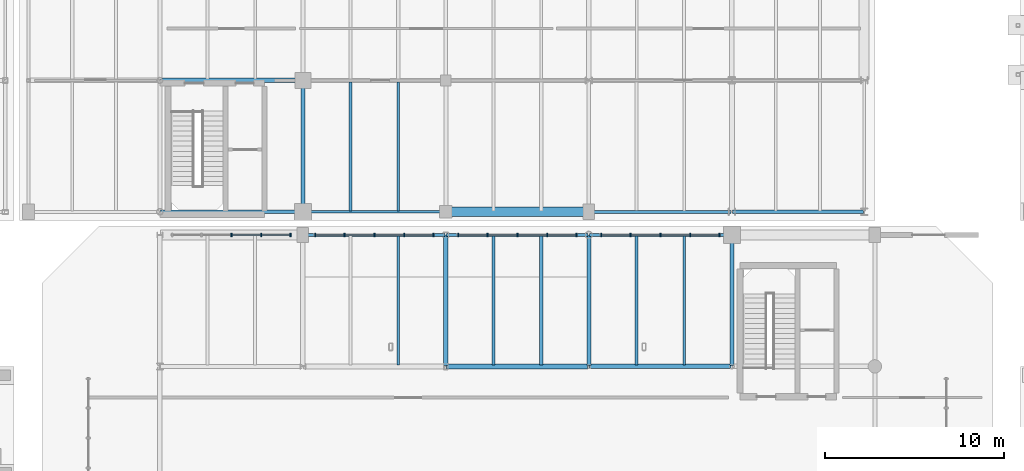
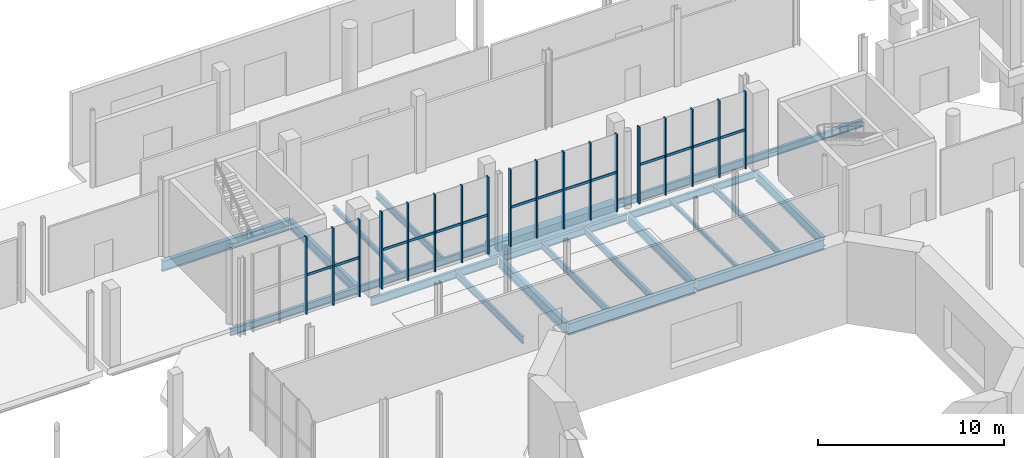
# One storey, part 47 of 87: 32 members, 22 beams, 4 elements without a shape of their own.
"""IFC4 building model written with IfcOpenShell, lengths in metres."""

from ifc_helpers import new_model, si_unit, direction, frame, origin, origin_2d, place, context, subcontext, project, spatial, rectangle, i_section, extrude, material, material_profile, profile_set, type_object, element, aggregate, save


model = new_model("IFC4")

# Units and contexts
model_context = context("Model", 3, precision=1e-05, world=origin(), true_north=direction((0.0, 1.0)))
body_context = subcontext(model_context, "Body", "Model", "MODEL_VIEW")
ifc_project = project(units=[si_unit("LENGTHUNIT", "METRE"), si_unit("AREAUNIT", "SQUARE_METRE"), si_unit("VOLUMEUNIT", "CUBIC_METRE"), si_unit("PLANEANGLEUNIT", "RADIAN"), si_unit("MASSUNIT", "GRAM", prefix="KILO")], contexts=[model_context])

# Site, building, storey
site_placement = place(None, origin())
site = spatial("IfcSite", under=ifc_project, at=site_placement, CompositionType="ELEMENT")
building_placement = place(site_placement, origin())
building = spatial("IfcBuilding", under=site, at=building_placement, Name="Brisemont Oceanarium", CompositionType="ELEMENT")
storey_placement = place(building_placement, origin())
storey = spatial("IfcBuildingStorey", under=building, at=storey_placement, Name="L00", CompositionType="ELEMENT", Elevation=0.0)

# Beams
ifc_material_1 = material(Name="Concrete C40/50", Category="concrete")
ifc_material_profile_1 = material_profile(ifc_material_1, rectangle(XDim=0.550048828125, YDim=0.800048828125, at=origin_2d()), Name="RC-BM-550X800")
ifc_profile_set_1 = profile_set([ifc_material_profile_1], Name="Concrete C40/50")
beam_type_1 = type_object("IfcBeamType", Name="BM-RC550X800", PredefinedType="SPANDREL", material=ifc_profile_set_1)
beam_1_placement = place(storey_placement, frame((80.0400390625, 80.64990234375, -0.780029296875), z_axis=(1.0, 0.0, 0.0), x_axis=(0.0, 1.0, 0.0)))
element("IfcBeam", 1, at=beam_1_placement, inside=storey, type_object=beam_type_1, Name="V7E L00 EW girder", PredefinedType="SPANDREL", context=body_context, shape_type="SweptSolid", body=[
    extrude(rectangle(XDim=0.550048828125, YDim=0.800048828125, at=origin_2d()), origin(), (0.0, 0.0, 1.0), 7.919921875),
])
ifc_material_2 = material(Name="Structural Steel ASTM A992 Gr.50", Category="steel")
ifc_material_profile_2 = material_profile(ifc_material_2, i_section(OverallWidth=0.14599609375, OverallDepth=0.259033203125, WebThickness=0.006103515625, FlangeThickness=0.009033203125, FilletRadius=0.008056640625, at=origin_2d()), Name="W10X22")
ifc_profile_set_2 = profile_set([ifc_material_profile_2], Name="Structural Steel ASTM A992 Gr.50")
beam_type_2 = type_object("IfcBeamType", Name="BM-W10X22", PredefinedType="LINTEL", material=ifc_profile_set_2)
beam_2_placement = place(storey_placement, frame((90.666748046875, 72.090087890625, -0.509521484375), z_axis=(0.0, 1.0, 0.0), x_axis=(-1.0, 0.0, 0.0)))
element("IfcBeam", 2, at=beam_2_placement, inside=storey, type_object=beam_type_2, Name="V1 L00 secondary floor beam", PredefinedType="LINTEL", context=body_context, shape_type="SweptSolid", body=[
    extrude(i_section(OverallWidth=0.14599609375, OverallDepth=0.259033203125, WebThickness=0.006103515625, FlangeThickness=0.009033203125, FilletRadius=0.008056640625, at=origin_2d()), origin(), (0.0, 0.0, 1.0), 7.219970703125),
])
ifc_material_3 = material(Name="Structural Steel ASTM A992 Gr.50", Category="steel")
ifc_material_profile_3 = material_profile(ifc_material_3, i_section(OverallWidth=0.1650390625, OverallDepth=0.31005859375, WebThickness=0.005859375, FlangeThickness=0.009765625, FilletRadius=0.008056640625, at=origin_2d()), Name="W12X26")
ifc_profile_set_3 = profile_set([ifc_material_profile_3], Name="Structural Steel ASTM A992 Gr.50")
beam_type_3 = type_object("IfcBeamType", Name="BM-W12X26", PredefinedType="JOIST", material=ifc_profile_set_3)
beam_3_placement = place(storey_placement, frame((74.666748046875, 80.68994140625, -0.534912109375), z_axis=(0.0, 1.0, 0.0), x_axis=(-1.0, 0.0, 0.0)))
element("IfcBeam", 3, at=beam_3_placement, inside=storey, type_object=beam_type_3, Name="V7E L00 secondary floor beam", PredefinedType="JOIST", context=body_context, shape_type="SweptSolid", body=[
    extrude(i_section(OverallWidth=0.1650390625, OverallDepth=0.31005859375, WebThickness=0.005859375, FlangeThickness=0.009765625, FilletRadius=0.008056640625, at=origin_2d()), origin(), (0.0, 0.0, 1.0), 7.219970703125),
])
ifc_material_4 = material(Name="Structural Steel ASTM A992 Gr.50", Category="steel")
ifc_material_profile_4 = material_profile(ifc_material_4, i_section(OverallWidth=0.139892578125, OverallDepth=0.39892578125, WebThickness=0.00634765625, FlangeThickness=0.0087890625, FilletRadius=0.010009765625, at=origin_2d()), Name="W16X26")
ifc_profile_set_4 = profile_set([ifc_material_profile_4], Name="Structural Steel ASTM A992 Gr.50")
beam_type_4 = type_object("IfcBeamType", Name="BM-W16X26", PredefinedType="JOIST", material=ifc_profile_set_4)
beam_4_placement = place(storey_placement, frame((93.333251953125, 72.090087890625, -0.57958984375), z_axis=(0.0, 1.0, 0.0), x_axis=(-1.0, 0.0, 0.0)))
element("IfcBeam", 4, at=beam_4_placement, inside=storey, type_object=beam_type_4, Name="V1 L00 secondary floor beam", PredefinedType="JOIST", context=body_context, shape_type="SweptSolid", body=[
    extrude(i_section(OverallWidth=0.139892578125, OverallDepth=0.39892578125, WebThickness=0.00634765625, FlangeThickness=0.0087890625, FilletRadius=0.010009765625, at=origin_2d()), origin(), (0.0, 0.0, 1.0), 7.219970703125),
])
ifc_material_5 = material(Name="Structural Steel ASTM A992 Gr.50", Category="steel")
ifc_material_profile_5 = material_profile(ifc_material_5, i_section(OverallWidth=0.177978515625, OverallDepth=0.404052734375, WebThickness=0.007568359375, FlangeThickness=0.010986328125, FilletRadius=0.010009765625, at=origin_2d()), Name="W16X36")
ifc_profile_set_5 = profile_set([ifc_material_profile_5], Name="Structural Steel ASTM A992 Gr.50")
beam_type_5 = type_object("IfcBeamType", Name="BM-W16X36", PredefinedType="JOIST", material=ifc_profile_set_5)
beam_5_placement = place(storey_placement, frame((85.333251953125, 72.090087890625, -0.58203125), z_axis=(0.0, 1.0, 0.0), x_axis=(-1.0, 0.0, 0.0)))
element("IfcBeam", 5, at=beam_5_placement, inside=storey, type_object=beam_type_5, Name="V1 L00 secondary floor beam", PredefinedType="JOIST", context=body_context, shape_type="SweptSolid", body=[
    extrude(i_section(OverallWidth=0.177978515625, OverallDepth=0.404052734375, WebThickness=0.007568359375, FlangeThickness=0.010986328125, FilletRadius=0.010009765625, at=origin_2d()), origin(), (0.0, 0.0, 1.0), 7.219970703125),
])
ifc_material_6 = material(Name="Structural Steel ASTM A992 Gr.50", Category="steel")
ifc_material_profile_6 = material_profile(ifc_material_6, i_section(OverallWidth=0.153076171875, OverallDepth=0.455078125, WebThickness=0.008056640625, FlangeThickness=0.01318359375, FilletRadius=0.010986328125, at=origin_2d()), Name="W18X40")
ifc_profile_set_6 = profile_set([ifc_material_profile_6], Name="Structural Steel ASTM A992 Gr.50")
beam_type_6 = type_object("IfcBeamType", Name="BM-W18X40", PredefinedType="JOIST", material=ifc_profile_set_6)
for number, where, z_axis, x_axis, name in (
    (6, (77.333251953125, 72.090087890625, -0.607421875), (0.0, 1.0, 0.0), (-1.0, 0.0, 0.0), "V1 L00 secondary floor beam"),
    (7, (82.666748046875, 72.090087890625, -0.607421875), (0.0, 1.0, 0.0), (-1.0, 0.0, 0.0), "V1 L00 secondary floor beam"),
    (8, (77.333251953125, 80.68994140625, -0.607421875), (0.0, 1.0, 0.0), (-1.0, 0.0, 0.0), "V7E L00 secondary floor beam"),
):
    element("IfcBeam", number, at=place(storey_placement, frame(where, z_axis=z_axis, x_axis=x_axis)), inside=storey, type_object=beam_type_6, Name=name, PredefinedType="JOIST", context=body_context, shape_type="SweptSolid", body=[
        extrude(i_section(OverallWidth=0.153076171875, OverallDepth=0.455078125, WebThickness=0.008056640625, FlangeThickness=0.01318359375, FilletRadius=0.010986328125, at=origin_2d()), origin(), (0.0, 0.0, 1.0), 7.219970703125),
    ])
ifc_material_7 = material(Name="Structural Steel ASTM A992 Gr.50", Category="steel")
ifc_material_profile_7 = material_profile(ifc_material_7, i_section(OverallWidth=0.154052734375, OverallDepth=0.458984375, WebThickness=0.009033203125, FlangeThickness=0.015380859375, FilletRadius=0.010986328125, at=origin_2d()), Name="W18X46")
ifc_profile_set_7 = profile_set([ifc_material_profile_7], Name="Structural Steel ASTM A992 Gr.50")
beam_type_7 = type_object("IfcBeamType", Name="BM-W18X46", PredefinedType="SPANDREL", material=ifc_profile_set_7)
for number, where, z_axis, x_axis, name in (
    (9, (88.0400390625, 79.35009765625, -0.609619140625), (1.0, 0.0, 0.0), (0.0, 1.0, 0.0), "V1 L00 EW girder"),
    (10, (72.0400390625, 80.64990234375, -0.609619140625), (1.0, 0.0, 0.0), (0.0, 1.0, 0.0), "V7E L00 EW girder"),
):
    element("IfcBeam", number, at=place(storey_placement, frame(where, z_axis=z_axis, x_axis=x_axis)), inside=storey, type_object=beam_type_7, Name=name, PredefinedType="SPANDREL", context=body_context, shape_type="SweptSolid", body=[
        extrude(i_section(OverallWidth=0.154052734375, OverallDepth=0.458984375, WebThickness=0.009033203125, FlangeThickness=0.015380859375, FilletRadius=0.010986328125, at=origin_2d()), origin(), (0.0, 0.0, 1.0), 7.919921875),
    ])
ifc_material_8 = material(Name="Structural Steel ASTM A992 Gr.50", Category="steel")
ifc_material_profile_8 = material_profile(ifc_material_8, i_section(OverallWidth=0.19091796875, OverallDepth=0.4599609375, WebThickness=0.010009765625, FlangeThickness=0.01611328125, FilletRadius=0.010986328125, at=origin_2d()), Name="W18X55")
ifc_profile_set_8 = profile_set([ifc_material_profile_8], Name="Structural Steel ASTM A992 Gr.50")
beam_type_8 = type_object("IfcBeamType", Name="BM-W18X55", PredefinedType="SPANDREL", material=ifc_profile_set_8)
for number, where, z_axis, x_axis, name in (
    (11, (80.0400390625, 79.35009765625, -0.610107421875), (1.0, 0.0, 0.0), (0.0, 1.0, 0.0), "V1 L00 EW girder"),
    (12, (64.0400390625, 80.64990234375, -0.610107421875), (1.0, 0.0, 0.0), (0.0, 1.0, 0.0), "V7E L00 EW girder"),
):
    element("IfcBeam", number, at=place(storey_placement, frame(where, z_axis=z_axis, x_axis=x_axis)), inside=storey, type_object=beam_type_8, Name=name, PredefinedType="SPANDREL", context=body_context, shape_type="SweptSolid", body=[
        extrude(i_section(OverallWidth=0.19091796875, OverallDepth=0.4599609375, WebThickness=0.010009765625, FlangeThickness=0.01611328125, FilletRadius=0.010986328125, at=origin_2d()), origin(), (0.0, 0.0, 1.0), 7.919921875),
    ])
beam_6_placement = place(storey_placement, frame((96.0400390625, 80.64990234375, -0.610107421875), z_axis=(1.0, 0.0, 0.0), x_axis=(0.0, 1.0, 0.0)))
element("IfcBeam", 13, at=beam_6_placement, inside=storey, type_object=beam_type_8, Name="V7E L00 EW girder", PredefinedType="SPANDREL", context=body_context, shape_type="SweptSolid", body=[
    extrude(i_section(OverallWidth=0.19091796875, OverallDepth=0.4599609375, WebThickness=0.010009765625, FlangeThickness=0.01611328125, FilletRadius=0.010986328125, at=origin_2d()), origin(), (0.0, 0.0, 1.0), 7.320068359375),
])
ifc_material_9 = material(Name="Structural Steel ASTM A992 Gr.50", Category="steel")
ifc_material_profile_9 = material_profile(ifc_material_9, i_section(OverallWidth=0.166015625, OverallDepth=0.528076171875, WebThickness=0.009765625, FlangeThickness=0.013671875, FilletRadius=0.012939453125, at=origin_2d()), Name="W21X50")
ifc_profile_set_9 = profile_set([ifc_material_profile_9], Name="Structural Steel ASTM A992 Gr.50")
beam_type_9 = type_object("IfcBeamType", Name="BM-W21X50", PredefinedType="SPANDREL", material=ifc_profile_set_9)
for number, where, z_axis, x_axis, name in (
    (14, (72.0400390625, 79.35009765625, -0.64404296875), (1.0, 0.0, 0.0), (0.0, 1.0, 0.0), "V1 L00 EW girder"),
    (15, (88.0400390625, 80.64990234375, -0.64404296875), (1.0, 0.0, 0.0), (0.0, 1.0, 0.0), "V7E L00 EW girder"),
):
    element("IfcBeam", number, at=place(storey_placement, frame(where, z_axis=z_axis, x_axis=x_axis)), inside=storey, type_object=beam_type_9, Name=name, PredefinedType="SPANDREL", context=body_context, shape_type="SweptSolid", body=[
        extrude(i_section(OverallWidth=0.166015625, OverallDepth=0.528076171875, WebThickness=0.009765625, FlangeThickness=0.013671875, FilletRadius=0.012939453125, at=origin_2d()), origin(), (0.0, 0.0, 1.0), 7.919921875),
    ])
ifc_material_10 = material(Name="Structural Steel ASTM A992 Gr.50", Category="steel")
ifc_material_profile_10 = material_profile(ifc_material_10, i_section(OverallWidth=0.22802734375, OverallDepth=0.60791015625, WebThickness=0.01123046875, FlangeThickness=0.017333984375, FilletRadius=0.012939453125, at=origin_2d()), Name="W24X76")
ifc_profile_set_10 = profile_set([ifc_material_profile_10], Name="Structural Steel ASTM A992 Gr.50")
beam_type_10 = type_object("IfcBeamType", Name="BM-W24X76", PredefinedType="BEAM", material=ifc_profile_set_10)
for number, where, z_axis, x_axis, name in (
    (16, (96.0, 72.0400390625, -0.68408203125), (0.0, 1.0, 0.0), (-1.0, 0.0, 0.0), "V1 L00 NS girder"),
    (17, (72.0, 80.68994140625, -0.68408203125), (0.0, 1.0, 0.0), (-1.0, 0.0, 0.0), "V7E L00 NS girder"),
):
    element("IfcBeam", number, at=place(storey_placement, frame(where, z_axis=z_axis, x_axis=x_axis)), inside=storey, type_object=beam_type_10, Name=name, PredefinedType="BEAM", context=body_context, shape_type="SweptSolid", body=[
        extrude(i_section(OverallWidth=0.22802734375, OverallDepth=0.60791015625, WebThickness=0.01123046875, FlangeThickness=0.017333984375, FilletRadius=0.012939453125, at=origin_2d()), origin(), (0.0, 0.0, 1.0), 7.27001953125),
    ])
ifc_material_11 = material(Name="Structural Steel ASTM A992 Gr.50", Category="steel")
ifc_material_profile_11 = material_profile(ifc_material_11, i_section(OverallWidth=0.22900390625, OverallDepth=0.612060546875, WebThickness=0.011962890625, FlangeThickness=0.01953125, FilletRadius=0.012939453125, at=origin_2d()), Name="W24X84")
ifc_profile_set_11 = profile_set([ifc_material_profile_11], Name="Structural Steel ASTM A992 Gr.50")
beam_type_11 = type_object("IfcBeamType", Name="BM-W24X84", PredefinedType="BEAM", material=ifc_profile_set_11)
beam_7_placement = place(storey_placement, frame((88.0, 72.0400390625, -0.68603515625), z_axis=(0.0, 1.0, 0.0), x_axis=(-1.0, 0.0, 0.0)))
element("IfcBeam", 18, at=beam_7_placement, inside=storey, type_object=beam_type_11, Name="V1 L00 NS girder", PredefinedType="BEAM", context=body_context, shape_type="SweptSolid", body=[
    extrude(i_section(OverallWidth=0.22900390625, OverallDepth=0.612060546875, WebThickness=0.011962890625, FlangeThickness=0.01953125, FilletRadius=0.012939453125, at=origin_2d()), origin(), (0.0, 0.0, 1.0), 7.27001953125),
])
ifc_material_12 = material(Name="Structural Steel ASTM A992 Gr.50", Category="steel")
ifc_material_profile_12 = material_profile(ifc_material_12, i_section(OverallWidth=0.2529296875, OverallDepth=0.677978515625, WebThickness=0.01171875, FlangeThickness=0.016357421875, FilletRadius=0.014892578125, at=origin_2d()), Name="W27X84")
ifc_profile_set_12 = profile_set([ifc_material_profile_12], Name="Structural Steel ASTM A992 Gr.50")
beam_type_12 = type_object("IfcBeamType", Name="BM-W27X84", PredefinedType="BEAM", material=ifc_profile_set_12)
beam_8_placement = place(storey_placement, frame((80.0, 72.0400390625, -0.718994140625), z_axis=(0.0, 1.0, 0.0), x_axis=(-1.0, 0.0, 0.0)))
element("IfcBeam", 19, at=beam_8_placement, inside=storey, type_object=beam_type_12, Name="V1 L00 NS girder", PredefinedType="BEAM", context=body_context, shape_type="SweptSolid", body=[
    extrude(i_section(OverallWidth=0.2529296875, OverallDepth=0.677978515625, WebThickness=0.01171875, FlangeThickness=0.016357421875, FilletRadius=0.014892578125, at=origin_2d()), origin(), (0.0, 0.0, 1.0), 7.27001953125),
])
beam_9_placement = place(storey_placement, frame((64.0400390625, 88.0, -0.718994140625), z_axis=(1.0, 0.0, 0.0), x_axis=(0.0, 1.0, 0.0)))
element("IfcBeam", 20, at=beam_9_placement, inside=storey, type_object=beam_type_12, Name="V7E L00 EW girder", PredefinedType="BEAM", context=body_context, shape_type="SweptSolid", body=[
    extrude(i_section(OverallWidth=0.2529296875, OverallDepth=0.677978515625, WebThickness=0.01171875, FlangeThickness=0.016357421875, FilletRadius=0.014892578125, at=origin_2d()), origin(), (0.0, 0.0, 1.0), 7.919921875),
])
ifc_material_13 = material(Name="Structural Steel ASTM A992 Gr.50", Category="steel")
ifc_material_profile_13 = material_profile(ifc_material_13, i_section(OverallWidth=0.25390625, OverallDepth=0.68310546875, WebThickness=0.012451171875, FlangeThickness=0.018798828125, FilletRadius=0.014892578125, at=origin_2d()), Name="W27X94")
ifc_profile_set_13 = profile_set([ifc_material_profile_13], Name="Structural Steel ASTM A992 Gr.50")
beam_type_13 = type_object("IfcBeamType", Name="BM-W27X94", PredefinedType="BEAM", material=ifc_profile_set_13)
beam_10_placement = place(storey_placement, frame((88.0400390625, 72.0, -0.721435546875), z_axis=(1.0, 0.0, 0.0), x_axis=(0.0, 1.0, 0.0)))
element("IfcBeam", 21, at=beam_10_placement, inside=storey, type_object=beam_type_13, Name="V1 L00 EW girder", PredefinedType="BEAM", context=body_context, shape_type="SweptSolid", body=[
    extrude(i_section(OverallWidth=0.25390625, OverallDepth=0.68310546875, WebThickness=0.012451171875, FlangeThickness=0.018798828125, FilletRadius=0.014892578125, at=origin_2d()), origin(), (0.0, 0.0, 1.0), 7.919921875),
])
ifc_material_14 = material(Name="Structural Steel ASTM A992 Gr.50", Category="steel")
ifc_material_profile_14 = material_profile(ifc_material_14, i_section(OverallWidth=0.264892578125, OverallDepth=0.7529296875, WebThickness=0.01318359375, FlangeThickness=0.01708984375, FilletRadius=0.01611328125, at=origin_2d()), Name="W30X99")
ifc_profile_set_14 = profile_set([ifc_material_profile_14], Name="Structural Steel ASTM A992 Gr.50")
beam_type_14 = type_object("IfcBeamType", Name="BM-W30X99", PredefinedType="BEAM", material=ifc_profile_set_14)
beam_11_placement = place(storey_placement, frame((80.0400390625, 72.0, -0.756591796875), z_axis=(1.0, 0.0, 0.0), x_axis=(0.0, 1.0, 0.0)))
element("IfcBeam", 22, at=beam_11_placement, inside=storey, type_object=beam_type_14, Name="V1 L00 EW girder", PredefinedType="BEAM", context=body_context, shape_type="SweptSolid", body=[
    extrude(i_section(OverallWidth=0.264892578125, OverallDepth=0.7529296875, WebThickness=0.01318359375, FlangeThickness=0.01708984375, FilletRadius=0.01611328125, at=origin_2d()), origin(), (0.0, 0.0, 1.0), 7.919921875),
])

# Curtain wall, members
ifc_material_15 = material(Name="Anodized Extruded Aluminum 6063-T6", Category="aluminium")
curtain_wall_type = type_object("IfcCurtainWallType", Name="CW-ROT-69X50", PredefinedType="NOTDEFINED", material=ifc_material_15)
curtain_wall_1_placement = place(storey_placement, origin())
curtain_wall_1 = element("IfcCurtainWall", 23, at=curtain_wall_1_placement, inside=storey, type_object=curtain_wall_type, Name="CW-01 curtain wall CW-V1-N-L00-01", PredefinedType="NOTDEFINED")
ifc_material_16 = material(Name="Anodized Extruded Aluminum 6063-T6", Category="aluminium")
ifc_material_profile_15 = material_profile(ifc_material_16, rectangle(XDim=0.074951171875, YDim=0.219970703125, at=origin_2d()), Name="CWM-75X220")
ifc_profile_set_15 = profile_set([ifc_material_profile_15], Name="Anodized Extruded Aluminum 6063-T6")
member_type_1 = type_object("IfcMemberType", Name="MEM-CWM-75", PredefinedType="MULLION", material=ifc_profile_set_15)
member_1_placement = place(storey_placement, frame((68.0, 79.35009765625, 0.0), z_axis=(0.0, 0.0, 1.0), x_axis=(1.0, 0.0, 0.0)))
member_1 = element("IfcMember", 24, at=member_1_placement, type_object=member_type_1, Name="CW-V1-N-L00-01 mullion 3", PredefinedType="MULLION", context=body_context, shape_type="SweptSolid", body=[
    extrude(rectangle(XDim=0.074951171875, YDim=0.219970703125, at=origin_2d()), origin(), (0.0, 0.0, 1.0), 5.06005859375),
])
member_2_placement = place(storey_placement, frame((69.675048828125, 79.35009765625, 0.0), z_axis=(0.0, 0.0, 1.0), x_axis=(1.0, 0.0, 0.0)))
member_2 = element("IfcMember", 25, at=member_2_placement, type_object=member_type_1, Name="CW-V1-N-L00-01 mullion 4", PredefinedType="MULLION", context=body_context, shape_type="SweptSolid", body=[
    extrude(rectangle(XDim=0.074951171875, YDim=0.219970703125, at=origin_2d()), origin(), (0.0, 0.0, 1.0), 5.06005859375),
])
member_3_placement = place(storey_placement, frame((71.304931640625, 79.35009765625, 0.0), z_axis=(0.0, 0.0, 1.0), x_axis=(1.0, 0.0, 0.0)))
member_3 = element("IfcMember", 26, at=member_3_placement, type_object=member_type_1, Name="CW-V1-N-L00-01 mullion 5", PredefinedType="MULLION", context=body_context, shape_type="SweptSolid", body=[
    extrude(rectangle(XDim=0.074951171875, YDim=0.219970703125, at=origin_2d()), origin(), (0.0, 0.0, 1.0), 5.06005859375),
])

curtain_wall_2_placement = place(storey_placement, origin())
curtain_wall_2 = element("IfcCurtainWall", 27, at=curtain_wall_2_placement, inside=storey, type_object=curtain_wall_type, Name="CW-01 curtain wall CW-V1-N-L00-02", PredefinedType="NOTDEFINED")
member_4_placement = place(storey_placement, frame((72.695068359375, 79.35009765625, 0.0), z_axis=(0.0, 0.0, 1.0), x_axis=(1.0, 0.0, 0.0)))
member_4 = element("IfcMember", 28, at=member_4_placement, type_object=member_type_1, Name="CW-V1-N-L00-02 mullion 1", PredefinedType="MULLION", context=body_context, shape_type="SweptSolid", body=[
    extrude(rectangle(XDim=0.074951171875, YDim=0.219970703125, at=origin_2d()), origin(), (0.0, 0.0, 1.0), 5.06005859375),
])
member_5_placement = place(storey_placement, frame((74.324951171875, 79.35009765625, 0.0), z_axis=(0.0, 0.0, 1.0), x_axis=(1.0, 0.0, 0.0)))
member_5 = element("IfcMember", 29, at=member_5_placement, type_object=member_type_1, Name="CW-V1-N-L00-02 mullion 2", PredefinedType="MULLION", context=body_context, shape_type="SweptSolid", body=[
    extrude(rectangle(XDim=0.074951171875, YDim=0.219970703125, at=origin_2d()), origin(), (0.0, 0.0, 1.0), 5.06005859375),
])
member_6_placement = place(storey_placement, frame((76.0, 79.35009765625, 0.0), z_axis=(0.0, 0.0, 1.0), x_axis=(1.0, 0.0, 0.0)))
member_6 = element("IfcMember", 30, at=member_6_placement, type_object=member_type_1, Name="CW-V1-N-L00-02 mullion 3", PredefinedType="MULLION", context=body_context, shape_type="SweptSolid", body=[
    extrude(rectangle(XDim=0.074951171875, YDim=0.219970703125, at=origin_2d()), origin(), (0.0, 0.0, 1.0), 5.06005859375),
])
member_7_placement = place(storey_placement, frame((77.675048828125, 79.35009765625, 0.0), z_axis=(0.0, 0.0, 1.0), x_axis=(1.0, 0.0, 0.0)))
member_7 = element("IfcMember", 31, at=member_7_placement, type_object=member_type_1, Name="CW-V1-N-L00-02 mullion 4", PredefinedType="MULLION", context=body_context, shape_type="SweptSolid", body=[
    extrude(rectangle(XDim=0.074951171875, YDim=0.219970703125, at=origin_2d()), origin(), (0.0, 0.0, 1.0), 5.06005859375),
])
member_8_placement = place(storey_placement, frame((79.304931640625, 79.35009765625, 0.0), z_axis=(0.0, 0.0, 1.0), x_axis=(1.0, 0.0, 0.0)))
member_8 = element("IfcMember", 32, at=member_8_placement, type_object=member_type_1, Name="CW-V1-N-L00-02 mullion 5", PredefinedType="MULLION", context=body_context, shape_type="SweptSolid", body=[
    extrude(rectangle(XDim=0.074951171875, YDim=0.219970703125, at=origin_2d()), origin(), (0.0, 0.0, 1.0), 5.06005859375),
])

curtain_wall_3_placement = place(storey_placement, origin())
curtain_wall_3 = element("IfcCurtainWall", 33, at=curtain_wall_3_placement, inside=storey, type_object=curtain_wall_type, Name="CW-01 curtain wall CW-V1-N-L00-03", PredefinedType="NOTDEFINED")
member_9_placement = place(storey_placement, frame((80.695068359375, 79.35009765625, 0.0), z_axis=(0.0, 0.0, 1.0), x_axis=(1.0, 0.0, 0.0)))
member_9 = element("IfcMember", 34, at=member_9_placement, type_object=member_type_1, Name="CW-V1-N-L00-03 mullion 1", PredefinedType="MULLION", context=body_context, shape_type="SweptSolid", body=[
    extrude(rectangle(XDim=0.074951171875, YDim=0.219970703125, at=origin_2d()), origin(), (0.0, 0.0, 1.0), 5.06005859375),
])
member_10_placement = place(storey_placement, frame((82.324951171875, 79.35009765625, 0.0), z_axis=(0.0, 0.0, 1.0), x_axis=(1.0, 0.0, 0.0)))
member_10 = element("IfcMember", 35, at=member_10_placement, type_object=member_type_1, Name="CW-V1-N-L00-03 mullion 2", PredefinedType="MULLION", context=body_context, shape_type="SweptSolid", body=[
    extrude(rectangle(XDim=0.074951171875, YDim=0.219970703125, at=origin_2d()), origin(), (0.0, 0.0, 1.0), 5.06005859375),
])
member_11_placement = place(storey_placement, frame((84.0, 79.35009765625, 0.0), z_axis=(0.0, 0.0, 1.0), x_axis=(1.0, 0.0, 0.0)))
member_11 = element("IfcMember", 36, at=member_11_placement, type_object=member_type_1, Name="CW-V1-N-L00-03 mullion 3", PredefinedType="MULLION", context=body_context, shape_type="SweptSolid", body=[
    extrude(rectangle(XDim=0.074951171875, YDim=0.219970703125, at=origin_2d()), origin(), (0.0, 0.0, 1.0), 5.06005859375),
])
member_12_placement = place(storey_placement, frame((85.675048828125, 79.35009765625, 0.0), z_axis=(0.0, 0.0, 1.0), x_axis=(1.0, 0.0, 0.0)))
member_12 = element("IfcMember", 37, at=member_12_placement, type_object=member_type_1, Name="CW-V1-N-L00-03 mullion 4", PredefinedType="MULLION", context=body_context, shape_type="SweptSolid", body=[
    extrude(rectangle(XDim=0.074951171875, YDim=0.219970703125, at=origin_2d()), origin(), (0.0, 0.0, 1.0), 5.06005859375),
])
member_13_placement = place(storey_placement, frame((87.304931640625, 79.35009765625, 0.0), z_axis=(0.0, 0.0, 1.0), x_axis=(1.0, 0.0, 0.0)))
member_13 = element("IfcMember", 38, at=member_13_placement, type_object=member_type_1, Name="CW-V1-N-L00-03 mullion 5", PredefinedType="MULLION", context=body_context, shape_type="SweptSolid", body=[
    extrude(rectangle(XDim=0.074951171875, YDim=0.219970703125, at=origin_2d()), origin(), (0.0, 0.0, 1.0), 5.06005859375),
])

curtain_wall_4_placement = place(storey_placement, origin())
curtain_wall_4 = element("IfcCurtainWall", 39, at=curtain_wall_4_placement, inside=storey, type_object=curtain_wall_type, Name="CW-01 curtain wall CW-V1-N-L00-04", PredefinedType="NOTDEFINED")
member_14_placement = place(storey_placement, frame((88.695068359375, 79.35009765625, 0.0), z_axis=(0.0, 0.0, 1.0), x_axis=(1.0, 0.0, 0.0)))
member_14 = element("IfcMember", 40, at=member_14_placement, type_object=member_type_1, Name="CW-V1-N-L00-04 mullion 1", PredefinedType="MULLION", context=body_context, shape_type="SweptSolid", body=[
    extrude(rectangle(XDim=0.074951171875, YDim=0.219970703125, at=origin_2d()), origin(), (0.0, 0.0, 1.0), 5.06005859375),
])
member_15_placement = place(storey_placement, frame((90.324951171875, 79.35009765625, 0.0), z_axis=(0.0, 0.0, 1.0), x_axis=(1.0, 0.0, 0.0)))
member_15 = element("IfcMember", 41, at=member_15_placement, type_object=member_type_1, Name="CW-V1-N-L00-04 mullion 2", PredefinedType="MULLION", context=body_context, shape_type="SweptSolid", body=[
    extrude(rectangle(XDim=0.074951171875, YDim=0.219970703125, at=origin_2d()), origin(), (0.0, 0.0, 1.0), 5.06005859375),
])
member_16_placement = place(storey_placement, frame((92.0, 79.35009765625, 0.0), z_axis=(0.0, 0.0, 1.0), x_axis=(1.0, 0.0, 0.0)))
member_16 = element("IfcMember", 42, at=member_16_placement, type_object=member_type_1, Name="CW-V1-N-L00-04 mullion 3", PredefinedType="MULLION", context=body_context, shape_type="SweptSolid", body=[
    extrude(rectangle(XDim=0.074951171875, YDim=0.219970703125, at=origin_2d()), origin(), (0.0, 0.0, 1.0), 5.06005859375),
])
member_17_placement = place(storey_placement, frame((93.675048828125, 79.35009765625, 0.0), z_axis=(0.0, 0.0, 1.0), x_axis=(1.0, 0.0, 0.0)))
member_17 = element("IfcMember", 43, at=member_17_placement, type_object=member_type_1, Name="CW-V1-N-L00-04 mullion 4", PredefinedType="MULLION", context=body_context, shape_type="SweptSolid", body=[
    extrude(rectangle(XDim=0.074951171875, YDim=0.219970703125, at=origin_2d()), origin(), (0.0, 0.0, 1.0), 5.06005859375),
])
member_18_placement = place(storey_placement, frame((95.304931640625, 79.35009765625, 0.0), z_axis=(0.0, 0.0, 1.0), x_axis=(1.0, 0.0, 0.0)))
member_18 = element("IfcMember", 44, at=member_18_placement, type_object=member_type_1, Name="CW-V1-N-L00-04 mullion 5", PredefinedType="MULLION", context=body_context, shape_type="SweptSolid", body=[
    extrude(rectangle(XDim=0.074951171875, YDim=0.219970703125, at=origin_2d()), origin(), (0.0, 0.0, 1.0), 5.06005859375),
])

# Member
ifc_material_17 = material(Name="Anodized Extruded Aluminum 6063-T6", Category="aluminium")
ifc_material_profile_16 = material_profile(ifc_material_17, rectangle(XDim=0.074951171875, YDim=0.1650390625, at=origin_2d()), Name="CWT-75X165")
ifc_profile_set_16 = profile_set([ifc_material_profile_16], Name="Anodized Extruded Aluminum 6063-T6")
member_type_2 = type_object("IfcMemberType", Name="MEM-CWT-75", PredefinedType="USERDEFINED", material=ifc_profile_set_16)
member_19_placement = place(storey_placement, frame((68.014892578125, 79.35009765625, 2.530029296875), z_axis=(1.0, 0.0, 0.0), x_axis=(0.0, 1.0, 0.0)))
member_19 = element("IfcMember", 45, at=member_19_placement, type_object=member_type_2, Name="CW-V1-N-L00-01 transom 3.1", ObjectType="TRANSOM", PredefinedType="USERDEFINED", context=body_context, shape_type="SweptSolid", body=[
    extrude(rectangle(XDim=0.074951171875, YDim=0.1650390625, at=origin_2d()), origin(), (0.0, 0.0, 1.0), 1.64501953125),
])

member_20_placement = place(storey_placement, frame((69.68994140625, 79.35009765625, 2.530029296875), z_axis=(1.0, 0.0, 0.0), x_axis=(0.0, 1.0, 0.0)))
member_20 = element("IfcMember", 46, at=member_20_placement, type_object=member_type_2, Name="CW-V1-N-L00-01 transom 4.1", ObjectType="TRANSOM", PredefinedType="USERDEFINED", context=body_context, shape_type="SweptSolid", body=[
    extrude(rectangle(XDim=0.074951171875, YDim=0.1650390625, at=origin_2d()), origin(), (0.0, 0.0, 1.0), 1.64501953125),
])

aggregate(curtain_wall_1, [member_1, member_2, member_3, member_19, member_20])

member_21_placement = place(storey_placement, frame((72.6650390625, 79.35009765625, 2.530029296875), z_axis=(1.0, 0.0, 0.0), x_axis=(0.0, 1.0, 0.0)))
member_21 = element("IfcMember", 47, at=member_21_placement, type_object=member_type_2, Name="CW-V1-N-L00-02 transom 1.1", ObjectType="TRANSOM", PredefinedType="USERDEFINED", context=body_context, shape_type="SweptSolid", body=[
    extrude(rectangle(XDim=0.074951171875, YDim=0.1650390625, at=origin_2d()), origin(), (0.0, 0.0, 1.0), 1.64501953125),
])

member_22_placement = place(storey_placement, frame((74.340087890625, 79.35009765625, 2.530029296875), z_axis=(1.0, 0.0, 0.0), x_axis=(0.0, 1.0, 0.0)))
member_22 = element("IfcMember", 48, at=member_22_placement, type_object=member_type_2, Name="CW-V1-N-L00-02 transom 2.1", ObjectType="TRANSOM", PredefinedType="USERDEFINED", context=body_context, shape_type="SweptSolid", body=[
    extrude(rectangle(XDim=0.074951171875, YDim=0.1650390625, at=origin_2d()), origin(), (0.0, 0.0, 1.0), 1.64501953125),
])

member_23_placement = place(storey_placement, frame((76.014892578125, 79.35009765625, 2.530029296875), z_axis=(1.0, 0.0, 0.0), x_axis=(0.0, 1.0, 0.0)))
member_23 = element("IfcMember", 49, at=member_23_placement, type_object=member_type_2, Name="CW-V1-N-L00-02 transom 3.1", ObjectType="TRANSOM", PredefinedType="USERDEFINED", context=body_context, shape_type="SweptSolid", body=[
    extrude(rectangle(XDim=0.074951171875, YDim=0.1650390625, at=origin_2d()), origin(), (0.0, 0.0, 1.0), 1.64501953125),
])

member_24_placement = place(storey_placement, frame((77.68994140625, 79.35009765625, 2.530029296875), z_axis=(1.0, 0.0, 0.0), x_axis=(0.0, 1.0, 0.0)))
member_24 = element("IfcMember", 50, at=member_24_placement, type_object=member_type_2, Name="CW-V1-N-L00-02 transom 4.1", ObjectType="TRANSOM", PredefinedType="USERDEFINED", context=body_context, shape_type="SweptSolid", body=[
    extrude(rectangle(XDim=0.074951171875, YDim=0.1650390625, at=origin_2d()), origin(), (0.0, 0.0, 1.0), 1.64501953125),
])

aggregate(curtain_wall_2, [member_4, member_5, member_6, member_7, member_8, member_21, member_22, member_23, member_24])

member_25_placement = place(storey_placement, frame((80.6650390625, 79.35009765625, 2.530029296875), z_axis=(1.0, 0.0, 0.0), x_axis=(0.0, 1.0, 0.0)))
member_25 = element("IfcMember", 51, at=member_25_placement, type_object=member_type_2, Name="CW-V1-N-L00-03 transom 1.1", ObjectType="TRANSOM", PredefinedType="USERDEFINED", context=body_context, shape_type="SweptSolid", body=[
    extrude(rectangle(XDim=0.074951171875, YDim=0.1650390625, at=origin_2d()), origin(), (0.0, 0.0, 1.0), 1.64501953125),
])

member_26_placement = place(storey_placement, frame((82.340087890625, 79.35009765625, 2.530029296875), z_axis=(1.0, 0.0, 0.0), x_axis=(0.0, 1.0, 0.0)))
member_26 = element("IfcMember", 52, at=member_26_placement, type_object=member_type_2, Name="CW-V1-N-L00-03 transom 2.1", ObjectType="TRANSOM", PredefinedType="USERDEFINED", context=body_context, shape_type="SweptSolid", body=[
    extrude(rectangle(XDim=0.074951171875, YDim=0.1650390625, at=origin_2d()), origin(), (0.0, 0.0, 1.0), 1.64501953125),
])

member_27_placement = place(storey_placement, frame((84.014892578125, 79.35009765625, 2.530029296875), z_axis=(1.0, 0.0, 0.0), x_axis=(0.0, 1.0, 0.0)))
member_27 = element("IfcMember", 53, at=member_27_placement, type_object=member_type_2, Name="CW-V1-N-L00-03 transom 3.1", ObjectType="TRANSOM", PredefinedType="USERDEFINED", context=body_context, shape_type="SweptSolid", body=[
    extrude(rectangle(XDim=0.074951171875, YDim=0.1650390625, at=origin_2d()), origin(), (0.0, 0.0, 1.0), 1.64501953125),
])

member_28_placement = place(storey_placement, frame((85.68994140625, 79.35009765625, 2.530029296875), z_axis=(1.0, 0.0, 0.0), x_axis=(0.0, 1.0, 0.0)))
member_28 = element("IfcMember", 54, at=member_28_placement, type_object=member_type_2, Name="CW-V1-N-L00-03 transom 4.1", ObjectType="TRANSOM", PredefinedType="USERDEFINED", context=body_context, shape_type="SweptSolid", body=[
    extrude(rectangle(XDim=0.074951171875, YDim=0.1650390625, at=origin_2d()), origin(), (0.0, 0.0, 1.0), 1.64501953125),
])

aggregate(curtain_wall_3, [member_9, member_10, member_11, member_12, member_13, member_25, member_26, member_27, member_28])

member_29_placement = place(storey_placement, frame((88.6650390625, 79.35009765625, 2.530029296875), z_axis=(1.0, 0.0, 0.0), x_axis=(0.0, 1.0, 0.0)))
member_29 = element("IfcMember", 55, at=member_29_placement, type_object=member_type_2, Name="CW-V1-N-L00-04 transom 1.1", ObjectType="TRANSOM", PredefinedType="USERDEFINED", context=body_context, shape_type="SweptSolid", body=[
    extrude(rectangle(XDim=0.074951171875, YDim=0.1650390625, at=origin_2d()), origin(), (0.0, 0.0, 1.0), 1.64501953125),
])

member_30_placement = place(storey_placement, frame((90.340087890625, 79.35009765625, 2.530029296875), z_axis=(1.0, 0.0, 0.0), x_axis=(0.0, 1.0, 0.0)))
member_30 = element("IfcMember", 56, at=member_30_placement, type_object=member_type_2, Name="CW-V1-N-L00-04 transom 2.1", ObjectType="TRANSOM", PredefinedType="USERDEFINED", context=body_context, shape_type="SweptSolid", body=[
    extrude(rectangle(XDim=0.074951171875, YDim=0.1650390625, at=origin_2d()), origin(), (0.0, 0.0, 1.0), 1.64501953125),
])

member_31_placement = place(storey_placement, frame((92.014892578125, 79.35009765625, 2.530029296875), z_axis=(1.0, 0.0, 0.0), x_axis=(0.0, 1.0, 0.0)))
member_31 = element("IfcMember", 57, at=member_31_placement, type_object=member_type_2, Name="CW-V1-N-L00-04 transom 3.1", ObjectType="TRANSOM", PredefinedType="USERDEFINED", context=body_context, shape_type="SweptSolid", body=[
    extrude(rectangle(XDim=0.074951171875, YDim=0.1650390625, at=origin_2d()), origin(), (0.0, 0.0, 1.0), 1.64501953125),
])

member_32_placement = place(storey_placement, frame((93.68994140625, 79.35009765625, 2.530029296875), z_axis=(1.0, 0.0, 0.0), x_axis=(0.0, 1.0, 0.0)))
member_32 = element("IfcMember", 58, at=member_32_placement, type_object=member_type_2, Name="CW-V1-N-L00-04 transom 4.1", ObjectType="TRANSOM", PredefinedType="USERDEFINED", context=body_context, shape_type="SweptSolid", body=[
    extrude(rectangle(XDim=0.074951171875, YDim=0.1650390625, at=origin_2d()), origin(), (0.0, 0.0, 1.0), 1.64501953125),
])

aggregate(curtain_wall_4, [member_14, member_15, member_16, member_17, member_18, member_29, member_30, member_31, member_32])

save(model, "model.ifc")
